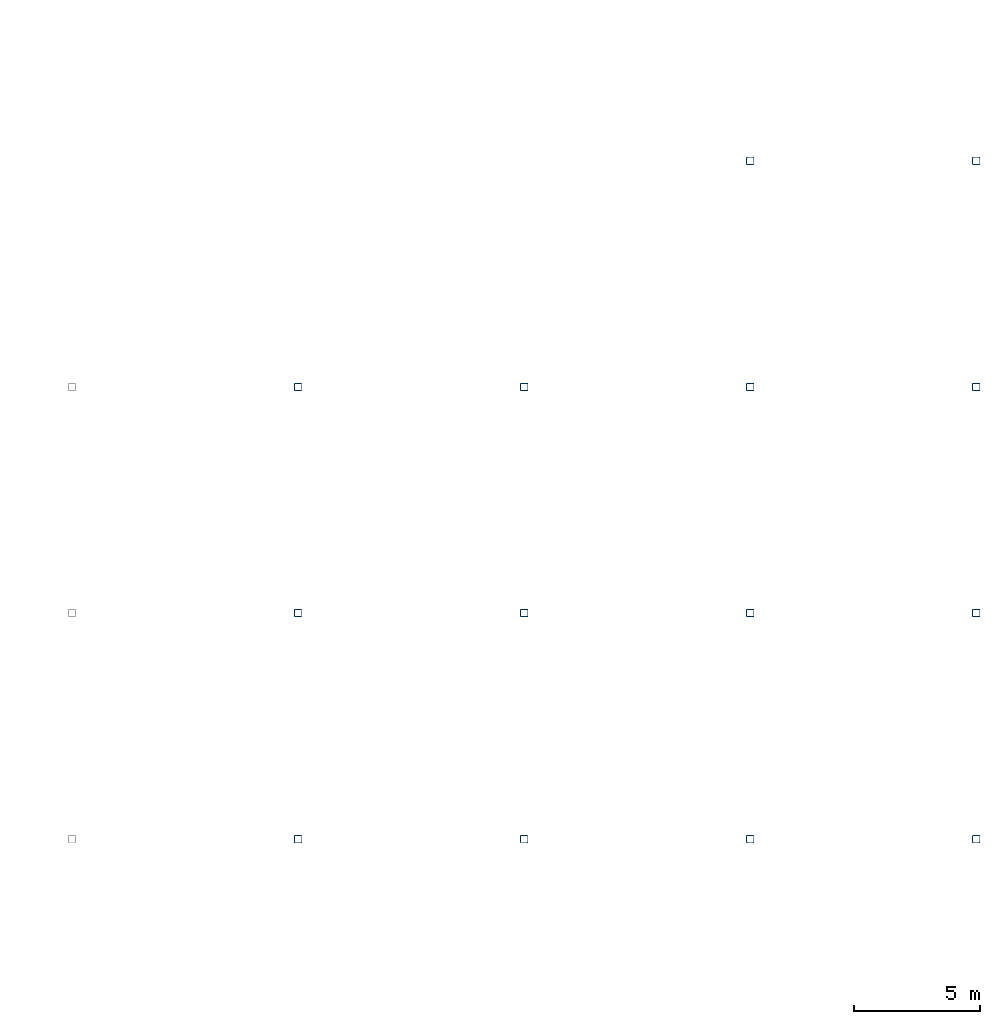
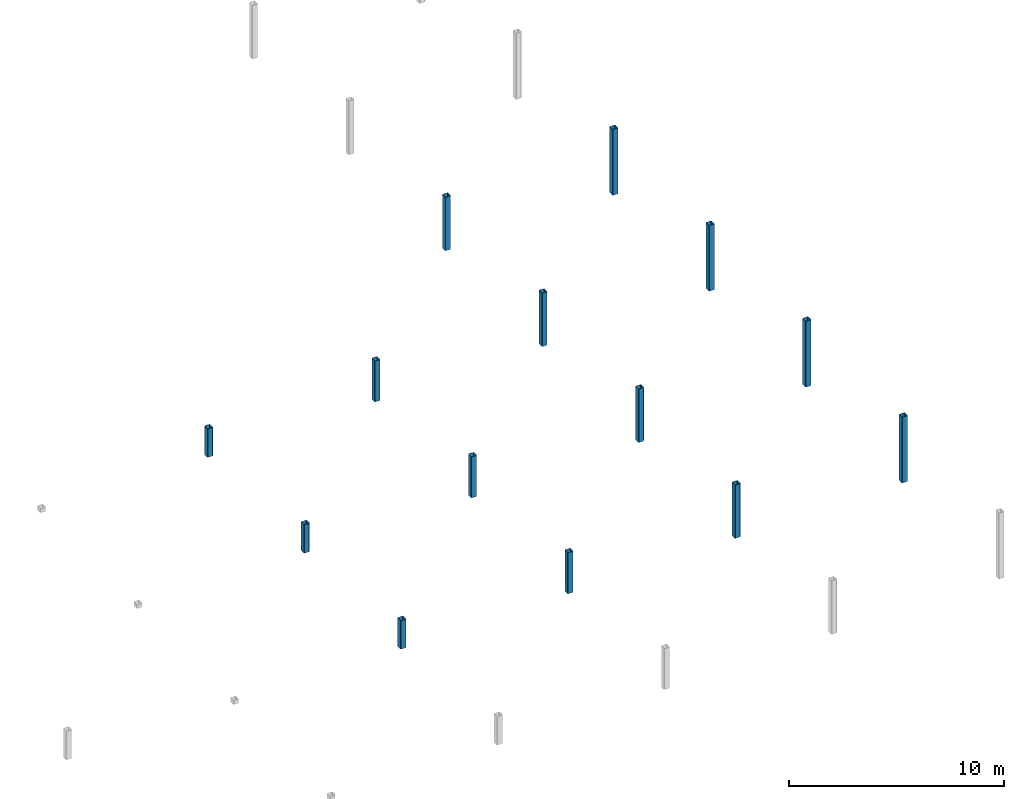
# One storey, part 7 of 15: 14 columns.
"""IFC4 building model written with IfcOpenShell, lengths in metres."""

from ifc_helpers import new_model, si_unit, direction, frame, origin, origin_2d, place, context, subcontext, project, spatial, hollow_rectangle, extrude, material, material_profile, profile_set, type_object, element, save


model = new_model("IFC4")

# Units and contexts
model_context = context("Model", 3, precision=1e-05, world=origin(), true_north=direction((0.0, 1.0)))
body_context = subcontext(model_context, "Body", "Model", "MODEL_VIEW")
ifc_project = project(units=[si_unit("LENGTHUNIT", "METRE"), si_unit("AREAUNIT", "SQUARE_METRE"), si_unit("VOLUMEUNIT", "CUBIC_METRE"), si_unit("PLANEANGLEUNIT", "RADIAN"), si_unit("MASSUNIT", "GRAM", prefix="KILO")], contexts=[model_context])

# Site, building, storey
site_placement = place(None, origin())
site = spatial("IfcSite", under=ifc_project, at=site_placement, CompositionType="ELEMENT")
building_placement = place(site_placement, origin())
building = spatial("IfcBuilding", under=site, at=building_placement, Name="Opaline Strait Convention Centre", CompositionType="ELEMENT")
storey_placement = place(building_placement, frame((0.0, 0.0, 20.10009765625)))
storey = spatial("IfcBuildingStorey", under=building, at=storey_placement, Name="Roof Restaurants and Business Centre", CompositionType="ELEMENT", Elevation=20.10009765625)

# Columns
ifc_material = material(Name="Steel Q355B", Category="steel")
ifc_material_profile = material_profile(ifc_material, hollow_rectangle(XDim=0.300048828125, YDim=0.300048828125, WallThickness=0.011962890625, InnerFilletRadius=0.02392578125, OuterFilletRadius=0.035888671875, at=origin_2d()), Name="RHS 300x300x12")
ifc_profile_set = profile_set([ifc_material_profile], Name="Steel Q355B")
column_type = type_object("IfcColumnType", Name="Roof post RHS 300x300x12", PredefinedType="COLUMN", material=ifc_profile_set)
for number, where, z_axis, x_axis, name in (
    (1, (333.0, 99.0, 0.0), (0.0, 0.0, 1.0), (1.0, 0.0, 0.0), "MRS1 roof post at 38/M above Roof Restaurants and Business Centre"),
    (2, (333.0, 108.0, 0.0), (0.0, 0.0, 1.0), (1.0, 0.0, 0.0), "MRS1 roof post at 38/N above Roof Restaurants and Business Centre"),
    (3, (333.0, 117.0, 0.0), (0.0, 0.0, 1.0), (1.0, 0.0, 0.0), "MRS1 roof post at 38/P above Roof Restaurants and Business Centre"),
):
    element("IfcColumn", number, at=place(storey_placement, frame(where, z_axis=z_axis, x_axis=x_axis)), inside=storey, type_object=column_type, Name=name, PredefinedType="COLUMN", context=body_context, shape_type="SweptSolid", body=[
        extrude(hollow_rectangle(XDim=0.300048828125, YDim=0.300048828125, WallThickness=0.011962890625, InnerFilletRadius=0.02392578125, OuterFilletRadius=0.035888671875, at=origin_2d()), origin(), (0.0, 0.0, 1.0), 1.6201171875),
    ])
for number, where, z_axis, x_axis, name in (
    (4, (342.0, 99.0, 0.0), (0.0, 0.0, 1.0), (1.0, 0.0, 0.0), "MRS1 roof post at 39/M above Roof Restaurants and Business Centre"),
    (5, (342.0, 108.0, 0.0), (0.0, 0.0, 1.0), (1.0, 0.0, 0.0), "MRS1 roof post at 39/N above Roof Restaurants and Business Centre"),
    (6, (342.0, 117.0, 0.0), (0.0, 0.0, 1.0), (1.0, 0.0, 0.0), "MRS1 roof post at 39/P above Roof Restaurants and Business Centre"),
):
    element("IfcColumn", number, at=place(storey_placement, frame(where, z_axis=z_axis, x_axis=x_axis)), inside=storey, type_object=column_type, Name=name, PredefinedType="COLUMN", context=body_context, shape_type="SweptSolid", body=[
        extrude(hollow_rectangle(XDim=0.300048828125, YDim=0.300048828125, WallThickness=0.011962890625, InnerFilletRadius=0.02392578125, OuterFilletRadius=0.035888671875, at=origin_2d()), origin(), (0.0, 0.0, 1.0), 2.32861328125),
    ])
for number, where, z_axis, x_axis, name in (
    (7, (351.0, 99.0, 0.0), (0.0, 0.0, 1.0), (1.0, 0.0, 0.0), "MRS1 roof post at 40/M above Roof Restaurants and Business Centre"),
    (8, (351.0, 108.0, 0.0), (0.0, 0.0, 1.0), (1.0, 0.0, 0.0), "MRS1 roof post at 40/N above Roof Restaurants and Business Centre"),
    (9, (351.0, 117.0, 0.0), (0.0, 0.0, 1.0), (1.0, 0.0, 0.0), "MRS1 roof post at 40/P above Roof Restaurants and Business Centre"),
    (10, (351.0, 126.0, 0.0), (0.0, 0.0, 1.0), (1.0, 0.0, 0.0), "MRS1 roof post at 40/Q above Roof Restaurants and Business Centre"),
):
    element("IfcColumn", number, at=place(storey_placement, frame(where, z_axis=z_axis, x_axis=x_axis)), inside=storey, type_object=column_type, Name=name, PredefinedType="COLUMN", context=body_context, shape_type="SweptSolid", body=[
        extrude(hollow_rectangle(XDim=0.300048828125, YDim=0.300048828125, WallThickness=0.011962890625, InnerFilletRadius=0.02392578125, OuterFilletRadius=0.035888671875, at=origin_2d()), origin(), (0.0, 0.0, 1.0), 3.036865234375),
    ])
for number, where, z_axis, x_axis, name in (
    (11, (360.0, 99.0, 0.0), (0.0, 0.0, 1.0), (1.0, 0.0, 0.0), "MRS1 roof post at 41/M above Roof Restaurants and Business Centre"),
    (12, (360.0, 108.0, 0.0), (0.0, 0.0, 1.0), (1.0, 0.0, 0.0), "MRS1 roof post at 41/N above Roof Restaurants and Business Centre"),
    (13, (360.0, 117.0, 0.0), (0.0, 0.0, 1.0), (1.0, 0.0, 0.0), "MRS1 roof post at 41/P above Roof Restaurants and Business Centre"),
    (14, (360.0, 126.0, 0.0), (0.0, 0.0, 1.0), (1.0, 0.0, 0.0), "MRS1 roof post at 41/Q above Roof Restaurants and Business Centre"),
):
    element("IfcColumn", number, at=place(storey_placement, frame(where, z_axis=z_axis, x_axis=x_axis)), inside=storey, type_object=column_type, Name=name, PredefinedType="COLUMN", context=body_context, shape_type="SweptSolid", body=[
        extrude(hollow_rectangle(XDim=0.300048828125, YDim=0.300048828125, WallThickness=0.011962890625, InnerFilletRadius=0.02392578125, OuterFilletRadius=0.035888671875, at=origin_2d()), origin(), (0.0, 0.0, 1.0), 3.7451171875),
    ])

save(model, "model.ifc")
